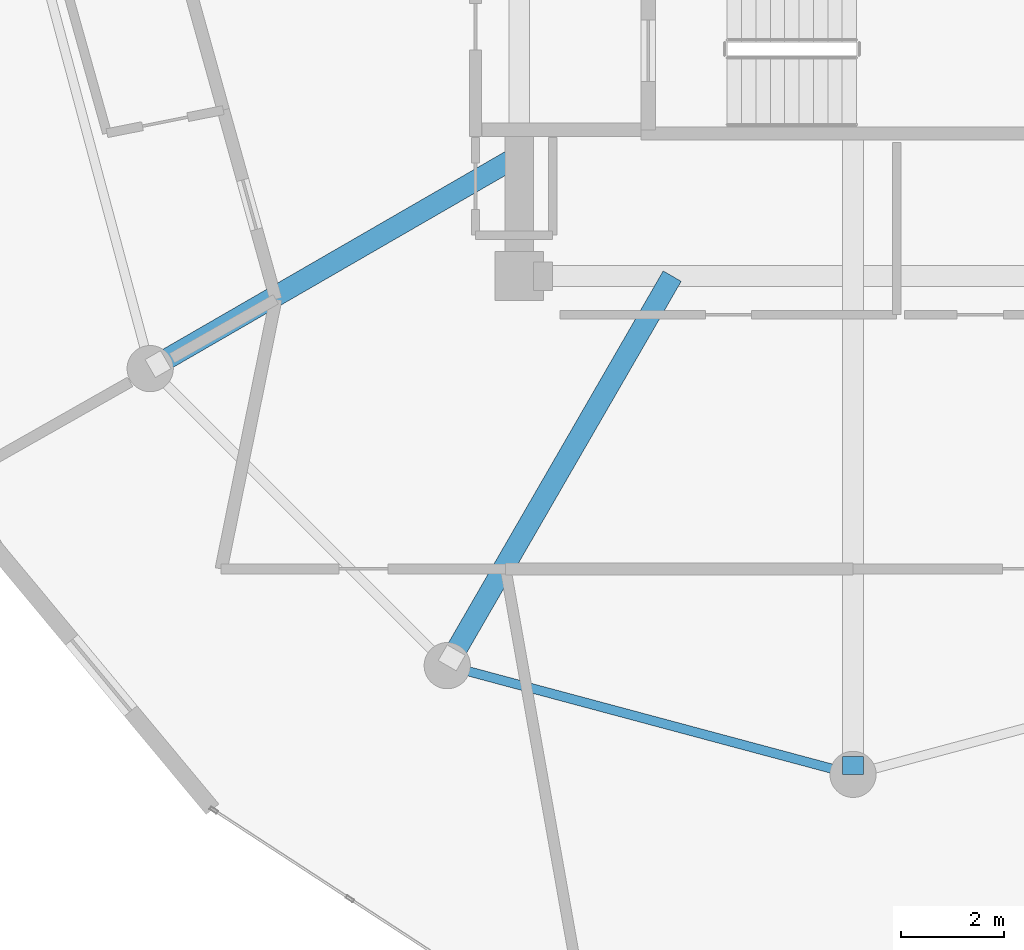
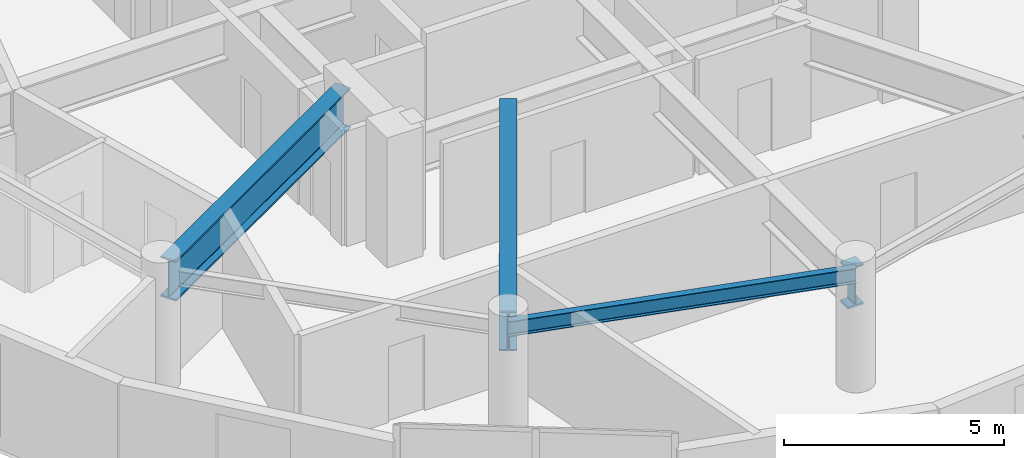
# One storey, part 3 of 22: 4 beams.
"""IFC4 building model written with IfcOpenShell, lengths in metres."""

from ifc_helpers import new_model, si_unit, direction, frame, origin, origin_2d, place, context, subcontext, project, spatial, i_section, extrude, material, material_profile, profile_set, type_object, element, save


model = new_model("IFC4")

# Units and contexts
model_context = context("Model", 3, precision=1e-05, world=origin(), true_north=direction((0.0, 1.0)))
body_context = subcontext(model_context, "Body", "Model", "MODEL_VIEW")
ifc_project = project(units=[si_unit("LENGTHUNIT", "METRE"), si_unit("AREAUNIT", "SQUARE_METRE"), si_unit("VOLUMEUNIT", "CUBIC_METRE"), si_unit("PLANEANGLEUNIT", "RADIAN"), si_unit("MASSUNIT", "GRAM", prefix="KILO")], contexts=[model_context])

# Site, building, storey
site_placement = place(None, origin())
site = spatial("IfcSite", under=ifc_project, at=site_placement, CompositionType="ELEMENT")
building_placement = place(site_placement, origin())
building = spatial("IfcBuilding", under=site, at=building_placement, Name="Solvirekh Grand Hotel", CompositionType="ELEMENT")
storey_placement = place(building_placement, frame((0.0, 0.0, 230.800048828125)))
storey = spatial("IfcBuildingStorey", under=building, at=storey_placement, Name="L60", CompositionType="ELEMENT", Elevation=230.800048828125)

# Beams
ifc_material_1 = material(Name="Steel S355", Category="steel")
ifc_material_profile_1 = material_profile(ifc_material_1, i_section(OverallWidth=0.180908203125, OverallDepth=0.4169921875, WebThickness=0.010009765625, FlangeThickness=0.01611328125, FilletRadius=0.011962890625, at=origin_2d()), Name="W410X85")
ifc_profile_set_1 = profile_set([ifc_material_profile_1], Name="Steel S355")
beam_type_1 = type_object("IfcBeamType", Name="Spandrel_Ring_W410", PredefinedType="SPANDREL", material=ifc_profile_set_1)
beam_1_placement = place(storey_placement, frame((-7.89990234375, -13.68310546875, 2.991943359375), z_axis=(0.965920601923, -0.258838541915, 0.0), x_axis=(0.258838541915, 0.965920601923, 0.0)))
element("IfcBeam", 1, at=beam_1_placement, inside=storey, type_object=beam_type_1, Name="L60 perimeter spandrel beam 9", PredefinedType="SPANDREL", context=body_context, shape_type="SweptSolid", body=[
    extrude(i_section(OverallWidth=0.180908203125, OverallDepth=0.4169921875, WebThickness=0.010009765625, FlangeThickness=0.01611328125, FilletRadius=0.011962890625, at=origin_2d()), origin(), (0.0, 0.0, 1.0), 8.1787109375),
])
ifc_material_2 = material(Name="Steel S460", Category="steel")
ifc_material_profile_2 = material_profile(ifc_material_2, i_section(OverallWidth=0.405029296875, OverallDepth=1.117919921875, WebThickness=0.02587890625, FlangeThickness=0.048095703125, FilletRadius=0.02392578125, at=origin_2d()), Name="W1100X499")
ifc_profile_set_2 = profile_set([ifc_material_profile_2], Name="Steel S460")
beam_type_2 = type_object("IfcBeamType", Name="TransferGirder_W1100", PredefinedType="USERDEFINED", material=ifc_profile_set_2)
beam_2_placement = place(storey_placement, frame((-6.5, -3.7509765625, 2.640869140625), z_axis=(-0.865915353139, -0.500190564883, 0.0), x_axis=(0.500190564883, -0.865915353139, 0.0)))
element("IfcBeam", 2, at=beam_2_placement, inside=storey, type_object=beam_type_2, Name="L60 inner radial transfer girder 8A", ObjectType="TRANSFER GIRDER", PredefinedType="USERDEFINED", context=body_context, shape_type="SweptSolid", body=[
    extrude(i_section(OverallWidth=0.405029296875, OverallDepth=1.117919921875, WebThickness=0.02587890625, FlangeThickness=0.048095703125, FilletRadius=0.02392578125, at=origin_2d()), origin(), (0.0, 0.0, 1.0), 7.9453125),
])
beam_3_placement = place(storey_placement, frame((-3.52001953125, -6.10009765625, 2.640869140625), z_axis=(-0.500186636498, -0.865917622334, 0.0), x_axis=(0.865917622334, -0.500186636498, 0.0)))
element("IfcBeam", 3, at=beam_3_placement, inside=storey, type_object=beam_type_2, Name="L60 inner radial transfer girder 9A", ObjectType="TRANSFER GIRDER", PredefinedType="USERDEFINED", context=body_context, shape_type="SweptSolid", body=[
    extrude(i_section(OverallWidth=0.405029296875, OverallDepth=1.117919921875, WebThickness=0.02587890625, FlangeThickness=0.048095703125, FilletRadius=0.02392578125, at=origin_2d()), origin(), (0.0, 0.0, 1.0), 8.406982421875),
])
beam_4_placement = place(storey_placement, frame((0.0, -15.449951171875, 2.640869140625), z_axis=(0.0, -1.0, 0.0), x_axis=(1.0, 0.0, 0.0)))
element("IfcBeam", 4, at=beam_4_placement, inside=storey, type_object=beam_type_2, Name="L60 outer radial transfer girder 10B", ObjectType="TRANSFER GIRDER", PredefinedType="USERDEFINED", context=body_context, shape_type="SweptSolid", body=[
    extrude(i_section(OverallWidth=0.405029296875, OverallDepth=1.117919921875, WebThickness=0.02587890625, FlangeThickness=0.048095703125, FilletRadius=0.02392578125, at=origin_2d()), origin(), (0.0, 0.0, 1.0), 0.35009765625),
])

save(model, "model.ifc")
